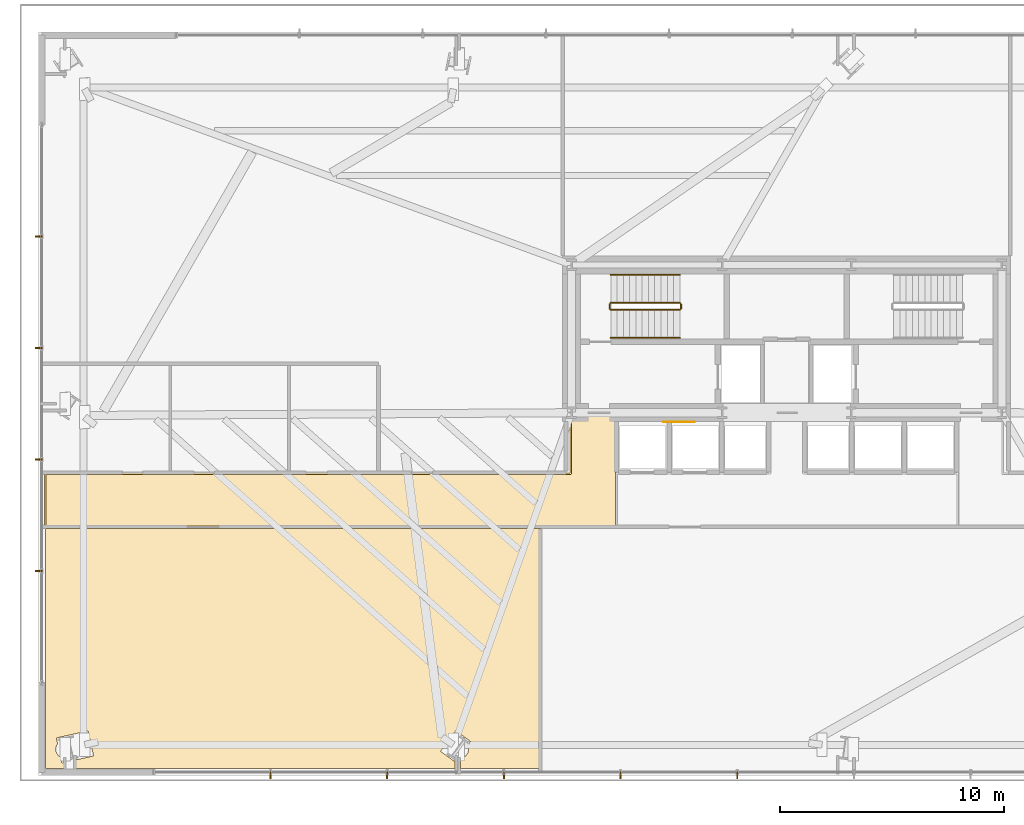
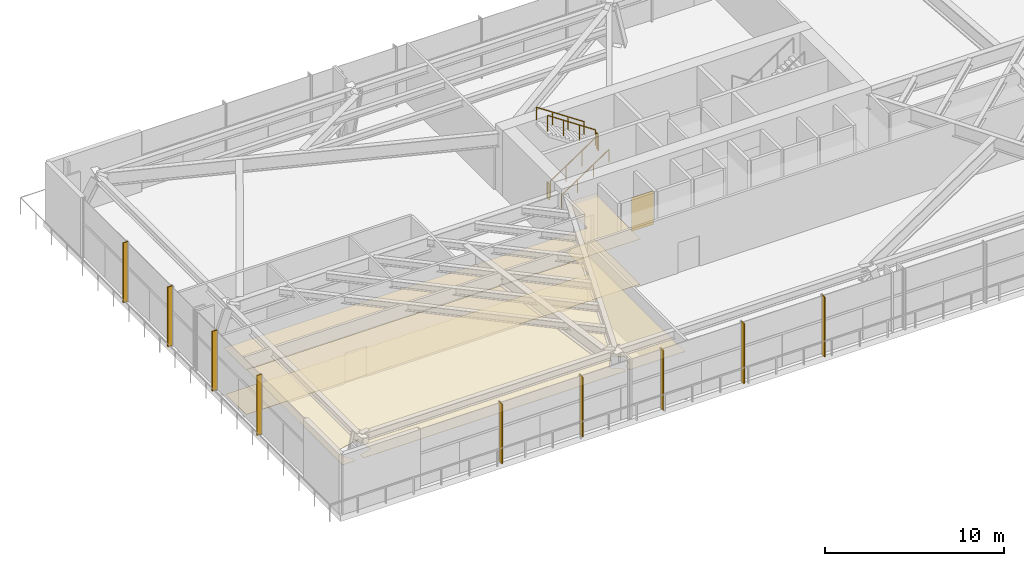
# One storey, part 28 of 33: 9 shading devices, 6 railings, 4 coverings.
"""IFC4 building model written with IfcOpenShell, lengths in metres."""

from ifc_helpers import new_model, si_unit, direction, frame, origin, origin_2d, place, context, subcontext, project, spatial, polyline, rectangle, outline, extrude, source, transform, mapped, material, layer, layer_set, type_object, type_shapes, element, save


model = new_model("IFC4")

# Units and contexts
model_context = context("Model", 3, precision=1e-05, world=origin(), true_north=direction((0.0, 1.0)))
body_context = subcontext(model_context, "Body", "Model", "MODEL_VIEW")
ifc_project = project(units=[si_unit("LENGTHUNIT", "METRE"), si_unit("AREAUNIT", "SQUARE_METRE"), si_unit("VOLUMEUNIT", "CUBIC_METRE"), si_unit("PLANEANGLEUNIT", "RADIAN"), si_unit("MASSUNIT", "GRAM", prefix="KILO")], contexts=[model_context])

# Site, building, storey
site_placement = place(None, origin())
site = spatial("IfcSite", under=ifc_project, at=site_placement, CompositionType="ELEMENT")
building_placement = place(site_placement, origin())
building = spatial("IfcBuilding", under=site, at=building_placement, Name="Astriad Promenade Condominiums", CompositionType="ELEMENT")
storey_placement = place(building_placement, frame((0.0, 0.0, 9.5)))
storey = spatial("IfcBuildingStorey", under=building, at=storey_placement, Name="L02", CompositionType="ELEMENT", Elevation=9.5)

# Coverings
ifc_material_1 = material(Name="Mineral-Fibre Acoustic Ceiling Tile")
ifc_layer_1 = layer(ifc_material_1, 0.02490234375)
ifc_layer_set_1 = layer_set([ifc_layer_1], Name="Mineral-Fibre Acoustic Ceiling Tile")
covering_type_1 = type_object("IfcCoveringType", Name="COV-CEIL-ACOUSTIC-25", PredefinedType="CEILING", material=ifc_layer_set_1)
covering_1_placement = place(storey_placement, frame((0.0, 0.0, 3.135009765625)))
element("IfcCovering", 1, at=covering_1_placement, inside=storey, type_object=covering_type_1, Name="CEIL-L02-COR-2", PredefinedType="CEILING", context=body_context, shape_type="SweptSolid", body=[
    extrude(outline(polyline([(2.89404296875, 12.2705078125), (2.891357421875, 12.271240234375), (2.888427734375, 12.272216796875), (2.885986328125, 12.2734375), (2.88330078125, 12.275146484375), (2.881103515625, 12.27685546875), (2.87890625, 12.27880859375), (2.876708984375, 12.281005859375), (2.875, 12.283203125), (2.87353515625, 12.285888671875), (2.872314453125, 12.28857421875), (2.871337890625, 12.291259765625), (2.87060546875, 12.294189453125), (2.8701171875, 12.297119140625), (2.8701171875, 12.300048828125), (2.8701171875, 14.679931640625), (2.8701171875, 14.682861328125), (2.87060546875, 14.685791015625), (2.871337890625, 14.688720703125), (2.872314453125, 14.69140625), (2.87353515625, 14.694091796875), (2.875, 14.69677734375), (2.876708984375, 14.698974609375), (2.87890625, 14.701171875), (2.881103515625, 14.703125), (2.88330078125, 14.704833984375), (2.885986328125, 14.70654296875), (2.888427734375, 14.707763671875), (2.891357421875, 14.708740234375), (2.89404296875, 14.70947265625), (2.897216796875, 14.7099609375), (2.89990234375, 14.7099609375), (26.320068359375, 14.7099609375), (26.320068359375, 17.077880859375), (26.683349609375, 17.077880859375), (26.683349609375, 17.3798828125), (28.39990234375, 17.3798828125), (28.40283203125, 17.3798828125), (28.406005859375, 17.37939453125), (28.40869140625, 17.378662109375), (28.41162109375, 17.377685546875), (28.4140625, 17.37646484375), (28.416748046875, 17.375), (28.4189453125, 17.373291015625), (28.421142578125, 17.37109375), (28.423095703125, 17.368896484375), (28.4248046875, 17.36669921875), (28.426513671875, 17.364013671875), (28.427734375, 17.361572265625), (28.4287109375, 17.358642578125), (28.429443359375, 17.35595703125), (28.429931640625, 17.352783203125), (28.429931640625, 17.35009765625), (28.429931640625, 14.75), (28.39990234375, 14.75), (28.39892578125, 14.75), (28.39599609375, 14.749755859375), (28.39404296875, 14.74951171875), (28.39111328125, 14.749267578125), (28.389404296875, 14.748779296875), (28.386474609375, 14.748046875), (28.384521484375, 14.74755859375), (28.3818359375, 14.74658203125), (28.3798828125, 14.745849609375), (28.377197265625, 14.744384765625), (28.37548828125, 14.74365234375), (28.373046875, 14.7421875), (28.371337890625, 14.740966796875), (28.369140625, 14.7392578125), (28.367431640625, 14.738037109375), (28.365478515625, 14.736083984375), (28.364013671875, 14.734619140625), (28.362060546875, 14.732421875), (28.360595703125, 14.73095703125), (28.35888671875, 14.728515625), (28.35791015625, 14.726806640625), (28.3564453125, 14.724365234375), (28.35546875, 14.72265625), (28.354248046875, 14.719970703125), (28.353515625, 14.71826171875), (28.3525390625, 14.71533203125), (28.351806640625, 14.713623046875), (28.351318359375, 14.710693359375), (28.350830078125, 14.708740234375), (28.350341796875, 14.705810546875), (28.35009765625, 14.703857421875), (28.35009765625, 14.700927734375), (28.35009765625, 14.699951171875), (28.35009765625, 12.300048828125), (28.35009765625, 12.299072265625), (28.35009765625, 12.296142578125), (28.350341796875, 12.294189453125), (28.350830078125, 12.291259765625), (28.351318359375, 12.289306640625), (28.351806640625, 12.286376953125), (28.3525390625, 12.28466796875), (28.353515625, 12.28173828125), (28.354248046875, 12.280029296875), (28.35546875, 12.27734375), (28.3564453125, 12.275634765625), (28.35791015625, 12.273193359375), (28.35888671875, 12.271484375), (28.360107421875, 12.27001953125), (2.89990234375, 12.27001953125), (2.897216796875, 12.27001953125), (2.89404296875, 12.2705078125)])), origin(), (0.0, 0.0, 1.0), 0.02490234375),
])
covering_2_placement = place(storey_placement, frame((0.0, 0.0, 3.135009765625)))
element("IfcCovering", 2, at=covering_2_placement, inside=storey, type_object=covering_type_1, Name="CEIL-L02-RM1", PredefinedType="CEILING", context=body_context, shape_type="SweptSolid", body=[
    extrude(outline(polyline([(2.944091796875, 1.5205078125), (2.94140625, 1.521240234375), (2.9384765625, 1.522216796875), (2.935791015625, 1.5234375), (2.933349609375, 1.525146484375), (2.930908203125, 1.52685546875), (2.9287109375, 1.52880859375), (2.9267578125, 1.531005859375), (2.925048828125, 1.533203125), (2.923583984375, 1.535888671875), (2.92236328125, 1.53857421875), (2.92138671875, 1.541259765625), (2.920654296875, 1.544189453125), (2.920166015625, 1.547119140625), (2.919921875, 1.550048828125), (2.919921875, 12.199951171875), (2.920166015625, 12.202880859375), (2.920654296875, 12.205810546875), (2.92138671875, 12.208740234375), (2.92236328125, 12.21142578125), (2.923583984375, 12.214111328125), (2.925048828125, 12.216796875), (2.9267578125, 12.218994140625), (2.9287109375, 12.22119140625), (2.930908203125, 12.22314453125), (2.933349609375, 12.224853515625), (2.935791015625, 12.2265625), (2.9384765625, 12.227783203125), (2.94140625, 12.228759765625), (2.944091796875, 12.2294921875), (2.947021484375, 12.22998046875), (2.949951171875, 12.22998046875), (25.0, 12.22998046875), (25.0029296875, 12.22998046875), (25.005859375, 12.2294921875), (25.0087890625, 12.228759765625), (25.011474609375, 12.227783203125), (25.01416015625, 12.2265625), (25.0166015625, 12.224853515625), (25.01904296875, 12.22314453125), (25.021240234375, 12.22119140625), (25.023193359375, 12.218994140625), (25.02490234375, 12.216796875), (25.026611328125, 12.214111328125), (25.027587890625, 12.21142578125), (25.02880859375, 12.208740234375), (25.029296875, 12.205810546875), (25.02978515625, 12.202880859375), (25.030029296875, 12.199951171875), (25.030029296875, 1.550048828125), (25.02978515625, 1.547119140625), (25.029296875, 1.544189453125), (25.02880859375, 1.541259765625), (25.027587890625, 1.53857421875), (25.026611328125, 1.535888671875), (25.02490234375, 1.533203125), (25.023193359375, 1.531005859375), (25.021240234375, 1.52880859375), (25.01904296875, 1.52685546875), (25.0166015625, 1.525146484375), (25.01416015625, 1.5234375), (25.011474609375, 1.522216796875), (25.0087890625, 1.521240234375), (25.005859375, 1.5205078125), (25.0029296875, 1.52001953125), (25.0, 1.52001953125), (21.469970703125, 1.52001953125), (21.467041015625, 1.52001953125), (21.464111328125, 1.5205078125), (21.461181640625, 1.521240234375), (21.45849609375, 1.522216796875), (21.455810546875, 1.5234375), (21.453369140625, 1.525146484375), (21.450927734375, 1.52685546875), (21.44873046875, 1.52880859375), (21.44677734375, 1.531005859375), (21.445068359375, 1.533203125), (21.443603515625, 1.535888671875), (21.4423828125, 1.53857421875), (21.44140625, 1.541259765625), (21.440673828125, 1.544189453125), (21.440185546875, 1.547119140625), (21.43994140625, 1.550048828125), (21.43994140625, 1.955810546875), (21.440185546875, 1.958740234375), (21.440673828125, 1.9619140625), (21.44140625, 1.964599609375), (21.4423828125, 1.96728515625), (21.443603515625, 1.969970703125), (21.445068359375, 1.97265625), (21.44677734375, 1.974853515625), (21.44873046875, 1.97705078125), (21.450927734375, 1.97900390625), (21.453369140625, 1.980712890625), (21.455810546875, 1.982421875), (21.45849609375, 1.983642578125), (21.461181640625, 1.984619140625), (21.464111328125, 1.9853515625), (21.546630859375, 2.001708984375), (21.679443359375, 2.090576171875), (21.768310546875, 2.223388671875), (21.79931640625, 2.3798828125), (21.785888671875, 2.44775390625), (21.952392578125, 2.6767578125), (21.62890625, 2.911865234375), (21.2236328125, 3.206298828125), (20.552490234375, 2.283203125), (20.876220703125, 2.048095703125), (21.202392578125, 1.810791015625), (21.202392578125, 1.550048828125), (21.202392578125, 1.547119140625), (21.201904296875, 1.544189453125), (21.201171875, 1.541259765625), (21.2001953125, 1.53857421875), (21.198974609375, 1.535888671875), (21.197509765625, 1.533203125), (21.19580078125, 1.531005859375), (21.193603515625, 1.52880859375), (21.19140625, 1.52685546875), (21.189208984375, 1.525146484375), (21.1865234375, 1.5234375), (21.18408203125, 1.522216796875), (21.18115234375, 1.521240234375), (21.178466796875, 1.5205078125), (21.17529296875, 1.52001953125), (21.172607421875, 1.52001953125), (4.31005859375, 1.52001953125), (4.30712890625, 1.52001953125), (4.30419921875, 1.5205078125), (4.30126953125, 1.521240234375), (4.298583984375, 1.522216796875), (4.2958984375, 1.5234375), (4.293212890625, 1.525146484375), (4.291015625, 1.52685546875), (4.288818359375, 1.52880859375), (4.286865234375, 1.531005859375), (4.28515625, 1.533203125), (4.283447265625, 1.535888671875), (4.2822265625, 1.53857421875), (4.28125, 1.541259765625), (4.280517578125, 1.544189453125), (4.280029296875, 1.547119140625), (4.280029296875, 1.550048828125), (4.280029296875, 1.906494140625), (4.582275390625, 1.9736328125), (5.06201171875, 2.080322265625), (4.814697265625, 3.1943359375), (3.877685546875, 2.986328125), (3.39794921875, 2.879638671875), (3.4560546875, 2.617919921875), (3.40185546875, 2.53662109375), (3.37060546875, 2.3798828125), (3.40185546875, 2.223388671875), (3.490478515625, 2.090576171875), (3.587646484375, 2.025634765625), (3.645263671875, 1.765625), (3.72998046875, 1.784423828125), (3.72998046875, 1.550048828125), (3.72998046875, 1.547119140625), (3.7294921875, 1.544189453125), (3.728759765625, 1.541259765625), (3.727783203125, 1.53857421875), (3.7265625, 1.535888671875), (3.724853515625, 1.533203125), (3.72314453125, 1.531005859375), (3.72119140625, 1.52880859375), (3.718994140625, 1.52685546875), (3.716796875, 1.525146484375), (3.714111328125, 1.5234375), (3.71142578125, 1.522216796875), (3.708740234375, 1.521240234375), (3.705810546875, 1.5205078125), (3.702880859375, 1.52001953125), (3.699951171875, 1.52001953125), (2.949951171875, 1.52001953125), (2.947021484375, 1.52001953125), (2.944091796875, 1.5205078125)])), origin(), (0.0, 0.0, 1.0), 0.02490234375),
])
ifc_material_2 = material(Name="Polished Lakefront Terrazzo Flooring")
ifc_layer_2 = layer(ifc_material_2, 0.02001953125)
ifc_layer_set_2 = layer_set([ifc_layer_2], Name="Polished Lakefront Terrazzo Flooring")
covering_type_2 = type_object("IfcCoveringType", Name="COV-FLOR-TERRAZZO-20", PredefinedType="FLOORING", material=ifc_layer_set_2)
covering_3_placement = place(storey_placement, origin())
element("IfcCovering", 3, at=covering_3_placement, inside=storey, type_object=covering_type_2, Name="FLR-L02-COR-2", PredefinedType="FLOORING", context=body_context, shape_type="SweptSolid", body=[
    extrude(outline(polyline([(2.93994140625, 12.340087890625), (2.93994140625, 14.639892578125), (26.35009765625, 14.639892578125), (26.35400390625, 14.64013671875), (26.35791015625, 14.640869140625), (26.361572265625, 14.6416015625), (26.365234375, 14.64306640625), (26.368896484375, 14.644775390625), (26.372314453125, 14.646728515625), (26.37548828125, 14.649169921875), (26.37841796875, 14.651611328125), (26.380859375, 14.654541015625), (26.38330078125, 14.65771484375), (26.38525390625, 14.6611328125), (26.386962890625, 14.664794921875), (26.38818359375, 14.66845703125), (26.38916015625, 14.672119140625), (26.389892578125, 14.676025390625), (26.389892578125, 14.679931640625), (26.389892578125, 17.117919921875), (26.643310546875, 17.117919921875), (26.643310546875, 17.31005859375), (28.360107421875, 17.31005859375), (28.360107421875, 12.340087890625), (2.93994140625, 12.340087890625)])), origin(), (0.0, 0.0, 1.0), 0.02001953125),
])

# Shading devices
ifc_material_3 = material(Name="Anodised aluminium 6063-T6 Black Fin", Category="aluminium")
shading_device_type = type_object("IfcShadingDeviceType", Name="FIN-BLACK-320", PredefinedType="USERDEFINED", material=ifc_material_3)
shared_shape_1 = source(origin(), body_context, "Body", "SweptSolid", [
    extrude(rectangle(XDim=0.06494140625, YDim=0.320068359375, at=origin_2d()), origin(), (0.0, 0.0, 1.0), 4.080078125),
])
type_shapes(shading_device_type, [shared_shape_1])
for number, where, z_axis, x_axis, name in (
    (4, (2.610107421875, 10.330078125, 0.0), (0.0, 0.0, 1.0), (0.0, 1.0, 0.0), "CW-L02-W-FIN-01"),
    (5, (2.610107421875, 15.31005859375, 0.0), (0.0, 0.0, 1.0), (0.0, 1.0, 0.0), "CW-L02-W-FIN-02"),
    (6, (2.610107421875, 20.2900390625, 0.0), (0.0, 0.0, 1.0), (0.0, 1.0, 0.0), "CW-L02-W-FIN-03"),
    (7, (2.610107421875, 25.27001953125, 0.0), (0.0, 0.0, 1.0), (0.0, 1.0, 0.0), "CW-L02-W-FIN-04"),
    (8, (33.791748046875, 1.2099609375, 0.0), (0.0, 0.0, 1.0), (-1.0, 0.0, 0.0), "CW-L02-S-FIN-07"),
    (9, (28.583251953125, 1.2099609375, 0.0), (0.0, 0.0, 1.0), (-1.0, 0.0, 0.0), "CW-L02-S-FIN-08"),
    (10, (23.375, 1.2099609375, 0.0), (0.0, 0.0, 1.0), (-1.0, 0.0, 0.0), "CW-L02-S-FIN-09"),
    (11, (18.166748046875, 1.2099609375, 0.0), (0.0, 0.0, 1.0), (-1.0, 0.0, 0.0), "CW-L02-S-FIN-10"),
    (12, (12.958251953125, 1.2099609375, 0.0), (0.0, 0.0, 1.0), (-1.0, 0.0, 0.0), "CW-L02-S-FIN-11"),
):
    element("IfcShadingDevice", number, at=place(storey_placement, frame(where, z_axis=z_axis, x_axis=x_axis)), inside=storey, type_object=shading_device_type, Name=name, ObjectType="FIN", PredefinedType="USERDEFINED", context=body_context, shape_type="MappedRepresentation", body=[
        mapped(shared_shape_1, transform((0.0, 0.0, 0.0), scale=1.0)),
    ])

# Railings
ifc_material_4 = material(Name="Painted Galvanised Steel Guardrail", Category="steel")
railing_type_1 = type_object("IfcRailingType", Name="GRD-STAIR-1100", PredefinedType="GUARDRAIL", material=ifc_material_4)
shared_shape_2 = source(origin(), body_context, "Body", "SweptSolid", [
    extrude(rectangle(XDim=0.048095703125, YDim=0.048095703125, at=origin_2d()), frame((0.0, 0.0, 1.076171875), z_axis=(0.0, 1.0, 0.0), x_axis=(-1.0, 0.0, 0.0)), (0.0, 0.0, 1.0), 0.199951171875),
    extrude(rectangle(XDim=0.0419921875, YDim=0.0419921875, at=origin_2d()), origin(), (0.0, 0.0, 1.0), 1.052001953125),
    extrude(rectangle(XDim=0.0419921875, YDim=0.0419921875, at=origin_2d()), frame((0.0, 0.199951171875, 0.0)), (0.0, 0.0, 1.0), 1.052001953125),
])
for number, where, name in (
    (13, (31.280029296875, 22.050048828125, 2.25), "L02 ST-1 stair guard 2"),
    (14, (28.10009765625, 22.050048828125, 0.0), "L02 ST-1 stair guard 4"),
):
    element("IfcRailing", number, at=place(storey_placement, frame(where)), inside=storey, type_object=railing_type_1, Name=name, PredefinedType="GUARDRAIL", context=body_context, shape_type="MappedRepresentation", body=[
        mapped(shared_shape_2, transform((0.0, 0.0, 0.0), scale=1.0)),
    ])
shared_shape_3 = source(origin(), body_context, "Body", "SweptSolid", [
    extrude(rectangle(XDim=0.048095703125, YDim=0.048095703125, at=origin_2d()), frame((0.0, 0.0, 1.076171875), z_axis=(0.830913701846, 0.0, 0.55640131208), x_axis=(0.0, 1.0, 0.0)), (0.0, 0.0, 1.0), 3.706787109375),
    extrude(rectangle(XDim=0.0419921875, YDim=0.0419921875, at=origin_2d()), origin(), (0.0, 0.0, 1.0), 1.052001953125),
    extrude(rectangle(XDim=0.0419921875, YDim=0.0419921875, at=origin_2d()), frame((1.026611328125, 0.0, 0.6875)), (0.0, 0.0, 1.0), 1.052001953125),
    extrude(rectangle(XDim=0.0419921875, YDim=0.0419921875, at=origin_2d()), frame((2.053466796875, 0.0, 1.375)), (0.0, 0.0, 1.0), 1.052001953125),
    extrude(rectangle(XDim=0.0419921875, YDim=0.0419921875, at=origin_2d()), frame((3.080078125, 0.0, 2.0625)), (0.0, 0.0, 1.0), 1.052001953125),
])
railing_1_placement = place(storey_placement, frame((28.14990234375, 22.0, 0.1875)))
element("IfcRailing", 15, at=railing_1_placement, inside=storey, type_object=railing_type_1, Name="L02 ST-1 stair guard 1", PredefinedType="GUARDRAIL", context=body_context, shape_type="MappedRepresentation", body=[
    mapped(shared_shape_3, transform((0.0, 0.0, 0.0), scale=1.0)),
])
shared_shape_4 = source(origin(), body_context, "Body", "SweptSolid", [
    extrude(rectangle(XDim=0.048095703125, YDim=0.048095703125, at=origin_2d()), frame((0.0, 0.0, 1.076171875), z_axis=(-0.830913701846, 0.0, 0.55640131208), x_axis=(0.0, -1.0, 0.0)), (0.0, 0.0, 1.0), 3.706787109375),
    extrude(rectangle(XDim=0.0419921875, YDim=0.0419921875, at=origin_2d()), origin(), (0.0, 0.0, 1.0), 1.052001953125),
    extrude(rectangle(XDim=0.0419921875, YDim=0.0419921875, at=origin_2d()), frame((-1.026611328125, 0.0, 0.6875)), (0.0, 0.0, 1.0), 1.052001953125),
    extrude(rectangle(XDim=0.0419921875, YDim=0.0419921875, at=origin_2d()), frame((-2.053466796875, 0.0, 1.375)), (0.0, 0.0, 1.0), 1.052001953125),
    extrude(rectangle(XDim=0.0419921875, YDim=0.0419921875, at=origin_2d()), frame((-3.080078125, 0.0, 2.0625)), (0.0, 0.0, 1.0), 1.052001953125),
])
type_shapes(railing_type_1, [shared_shape_2, shared_shape_3, shared_shape_4])
railing_2_placement = place(storey_placement, frame((31.22998046875, 22.300048828125, 2.4375)))
element("IfcRailing", 16, at=railing_2_placement, inside=storey, type_object=railing_type_1, Name="L02 ST-1 stair guard 3", PredefinedType="GUARDRAIL", context=body_context, shape_type="MappedRepresentation", body=[
    mapped(shared_shape_4, transform((0.0, 0.0, 0.0), scale=1.0)),
])
ifc_material_5 = material(Name="Brushed Stainless Steel Handrail", Category="steel")
railing_type_2 = type_object("IfcRailingType", Name="HRL-STAIR-920", PredefinedType="HANDRAIL", material=ifc_material_5)
shared_shape_5 = source(origin(), body_context, "Body", "SweptSolid", [
    extrude(rectangle(XDim=0.048095703125, YDim=0.048095703125, at=origin_2d()), frame((0.0, 0.0, 0.8759765625), z_axis=(0.830913701846, 0.0, 0.55640131208), x_axis=(0.0, 1.0, 0.0)), (0.0, 0.0, 1.0), 3.706787109375),
    extrude(rectangle(XDim=0.0419921875, YDim=0.0419921875, at=origin_2d()), origin(), (0.0, 0.0, 1.0), 0.851806640625),
    extrude(rectangle(XDim=0.0419921875, YDim=0.0419921875, at=origin_2d()), frame((1.026611328125, 0.0, 0.6875)), (0.0, 0.0, 1.0), 0.851806640625),
    extrude(rectangle(XDim=0.0419921875, YDim=0.0419921875, at=origin_2d()), frame((2.053466796875, 0.0, 1.375)), (0.0, 0.0, 1.0), 0.851806640625),
    extrude(rectangle(XDim=0.0419921875, YDim=0.0419921875, at=origin_2d()), frame((3.080078125, 0.0, 2.0625)), (0.0, 0.0, 1.0), 0.851806640625),
])
railing_3_placement = place(storey_placement, frame((28.14990234375, 20.75, 0.1875)))
element("IfcRailing", 17, at=railing_3_placement, inside=storey, type_object=railing_type_2, Name="L02 ST-1 stair handrail 1", PredefinedType="HANDRAIL", context=body_context, shape_type="MappedRepresentation", body=[
    mapped(shared_shape_5, transform((0.0, 0.0, 0.0), scale=1.0)),
])
shared_shape_6 = source(origin(), body_context, "Body", "SweptSolid", [
    extrude(rectangle(XDim=0.048095703125, YDim=0.048095703125, at=origin_2d()), frame((0.0, 0.0, 0.8759765625), z_axis=(-0.830913701846, 0.0, 0.55640131208), x_axis=(0.0, -1.0, 0.0)), (0.0, 0.0, 1.0), 3.706787109375),
    extrude(rectangle(XDim=0.0419921875, YDim=0.0419921875, at=origin_2d()), origin(), (0.0, 0.0, 1.0), 0.851806640625),
    extrude(rectangle(XDim=0.0419921875, YDim=0.0419921875, at=origin_2d()), frame((-1.026611328125, 0.0, 0.6875)), (0.0, 0.0, 1.0), 0.851806640625),
    extrude(rectangle(XDim=0.0419921875, YDim=0.0419921875, at=origin_2d()), frame((-2.053466796875, 0.0, 1.375)), (0.0, 0.0, 1.0), 0.851806640625),
    extrude(rectangle(XDim=0.0419921875, YDim=0.0419921875, at=origin_2d()), frame((-3.080078125, 0.0, 2.0625)), (0.0, 0.0, 1.0), 0.851806640625),
])
type_shapes(railing_type_2, [shared_shape_5, shared_shape_6])
railing_4_placement = place(storey_placement, frame((31.22998046875, 23.550048828125, 2.4375)))
element("IfcRailing", 18, at=railing_4_placement, inside=storey, type_object=railing_type_2, Name="L02 ST-1 stair handrail 2", PredefinedType="HANDRAIL", context=body_context, shape_type="MappedRepresentation", body=[
    mapped(shared_shape_6, transform((0.0, 0.0, 0.0), scale=1.0)),
])

# Covering
ifc_material_6 = material(Name="Fire-Retardant Acoustic Oak Wall Cladding")
ifc_layer_3 = layer(ifc_material_6, 0.02490234375)
ifc_layer_set_3 = layer_set([ifc_layer_3], Name="Fire-Retardant Acoustic Oak Wall Cladding")
covering_type_3 = type_object("IfcCoveringType", Name="COV-CLAD-TIMBER-25", PredefinedType="CLADDING", material=ifc_layer_set_3)
shared_shape_7 = source(origin(), body_context, "Body", "SweptSolid", [
    extrude(rectangle(XDim=1.39990234375, YDim=0.02490234375, at=origin_2d()), origin(), (0.0, 0.0, 1.0), 2.300048828125),
])
type_shapes(covering_type_3, [shared_shape_7])
covering_4_placement = place(storey_placement, frame((31.199951171875, 16.991455078125, 0.0498046875), z_axis=(0.0, 0.0, 1.0), x_axis=(1.0, 0.0, 0.0)))
element("IfcCovering", 19, at=covering_4_placement, inside=storey, type_object=covering_type_3, Name="CLAD-LOB-L02", PredefinedType="CLADDING", context=body_context, shape_type="MappedRepresentation", body=[
    mapped(shared_shape_7, transform((0.0, 0.0, 0.0), scale=1.0)),
])

save(model, "model.ifc")
